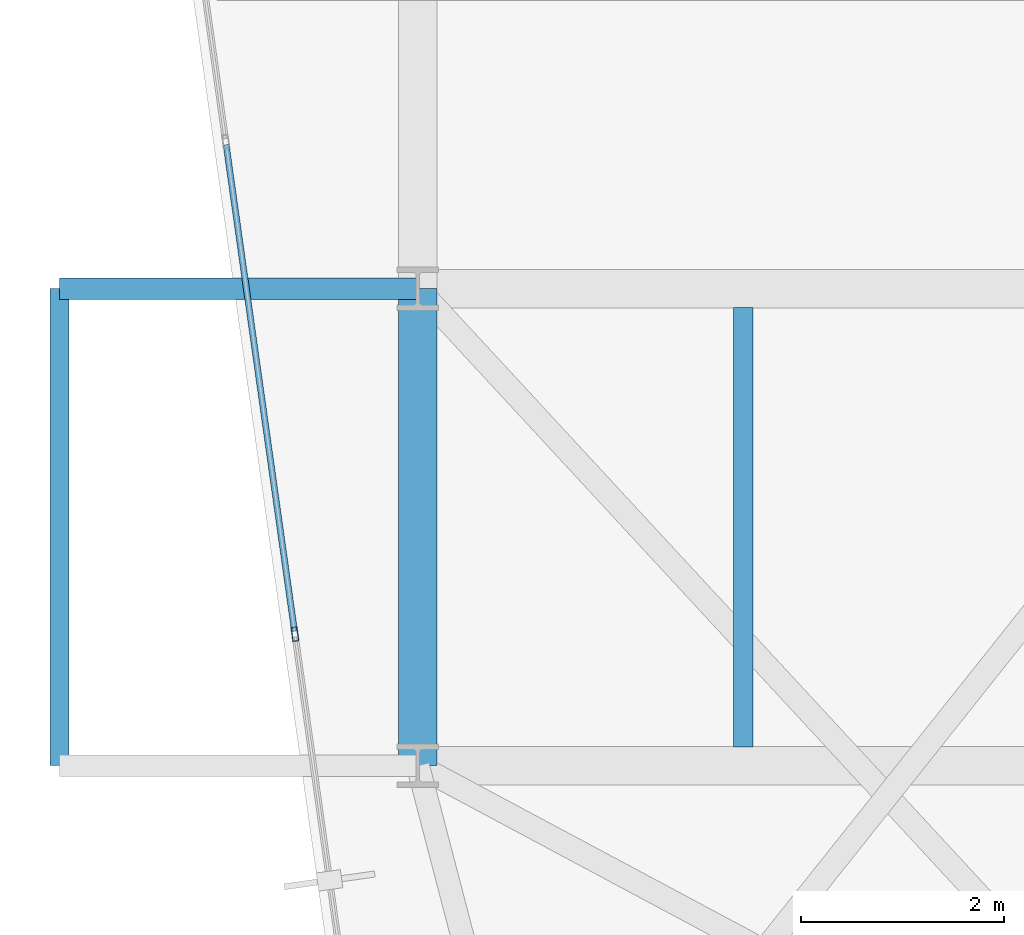
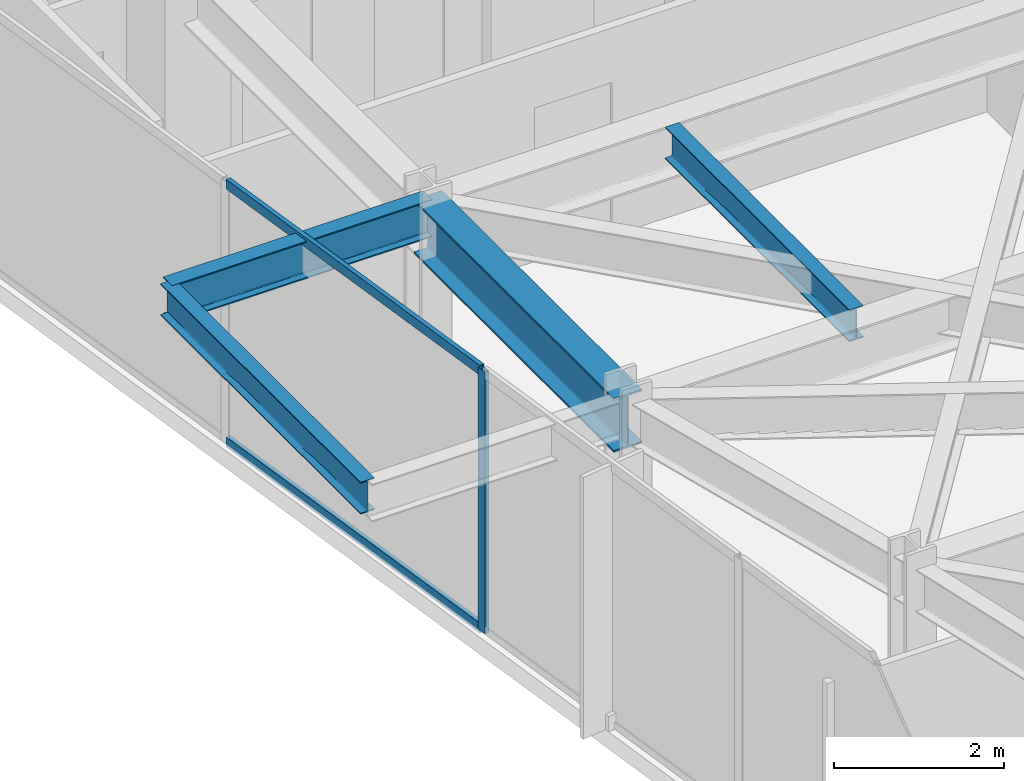
# One storey, part 9 of 26: 4 beams, 3 members, 1 element without a shape of its own.
"""IFC4 building model written with IfcOpenShell, lengths in metres."""

from ifc_helpers import new_model, si_unit, direction, frame, origin, origin_2d, place, context, subcontext, project, spatial, hollow_rectangle, i_section, extrude, material, layer, layer_set, material_profile, profile_set, type_object, element, aggregate, save


model = new_model("IFC4")

# Units and contexts
model_context = context("Model", 3, precision=1e-05, world=origin(), true_north=direction((0.0, 1.0)))
body_context = subcontext(model_context, "Body", "Model", "MODEL_VIEW")
ifc_project = project(units=[si_unit("LENGTHUNIT", "METRE"), si_unit("AREAUNIT", "SQUARE_METRE"), si_unit("VOLUMEUNIT", "CUBIC_METRE"), si_unit("PLANEANGLEUNIT", "RADIAN"), si_unit("MASSUNIT", "GRAM", prefix="KILO")], contexts=[model_context])

# Site, building, storey
site_placement = place(None, origin())
site = spatial("IfcSite", under=ifc_project, at=site_placement, CompositionType="ELEMENT")
building_placement = place(site_placement, origin())
building = spatial("IfcBuilding", under=site, at=building_placement, Name="Kravanh Interchange Tower", CompositionType="ELEMENT")
storey_placement = place(building_placement, frame((0.0, 0.0, 172.5)))
storey = spatial("IfcBuildingStorey", under=building, at=storey_placement, Name="L41", CompositionType="ELEMENT", Elevation=172.5)

# Curtain wall, members
ifc_material_1 = material(Name="Anodised Bronze Aluminium", Category="aluminium")
ifc_layer = layer(ifc_material_1, 0.179931640625)
ifc_layer_set = layer_set([ifc_layer], Name="Unitised Curtain Wall System CW-Z3 Upper Office")
curtain_wall_type = type_object("IfcCurtainWallType", Name="Unitised Curtain Wall System CW-Z3 Upper Office", PredefinedType="NOTDEFINED", material=ifc_layer_set)
curtain_wall_placement = place(storey_placement, origin())
curtain_wall = element("IfcCurtainWall", 1, at=curtain_wall_placement, inside=storey, type_object=curtain_wall_type, Name="L41 Unitised Curtain Wall CW-L41-01", PredefinedType="NOTDEFINED")
ifc_material_2 = material(Name="Anodised Bronze Aluminium", Category="aluminium")
ifc_material_profile_1 = material_profile(ifc_material_2, hollow_rectangle(XDim=0.06005859375, YDim=0.139892578125, WallThickness=0.00390625, at=origin_2d()), Name="ALU60X140X4")
ifc_profile_set_1 = profile_set([ifc_material_profile_1], Name="Anodised Bronze Aluminium")
member_type_1 = type_object("IfcMemberType", Name="Curtain Wall Mullion ALU60X140X4 Bronze", PredefinedType="MULLION", material=ifc_profile_set_1)
member_1_placement = place(storey_placement, frame((17.388671875, 28.09619140625, 0.0), z_axis=(0.0, 0.0, 1.0), x_axis=(-0.990268194035, -0.139172209446, 0.0)))
member_1 = element("IfcMember", 2, at=member_1_placement, type_object=member_type_1, Name="CW-Z3 mullion 4", PredefinedType="MULLION", context=body_context, shape_type="SweptSolid", body=[
    extrude(hollow_rectangle(XDim=0.06005859375, YDim=0.139892578125, WallThickness=0.00390625, at=origin_2d()), origin(), (0.0, 0.0, 1.0), 3.7548828125),
])
ifc_material_3 = material(Name="Anodised Bronze Aluminium", Category="aluminium")
ifc_material_profile_2 = material_profile(ifc_material_3, hollow_rectangle(XDim=0.06005859375, YDim=0.139892578125, WallThickness=0.00390625, at=origin_2d()), Name="ALU60X140X4")
ifc_profile_set_2 = profile_set([ifc_material_profile_2], Name="Anodised Bronze Aluminium")
member_type_2 = type_object("IfcMemberType", Name="Curtain Wall Transom ALU60X140X4 Bronze", PredefinedType="USERDEFINED", material=ifc_profile_set_2)
member_2_placement = place(storey_placement, frame((17.384521484375, 28.1259765625, 0.030029296875), z_axis=(-0.139182174391, 0.990266793512, 0.0), x_axis=(-0.990266793512, -0.139182174391, 0.0)))
member_2 = element("IfcMember", 3, at=member_2_placement, type_object=member_type_2, Name="CW-Z3 transom 4.1", ObjectType="TRANSOM", PredefinedType="USERDEFINED", context=body_context, shape_type="SweptSolid", body=[
    extrude(hollow_rectangle(XDim=0.06005859375, YDim=0.139892578125, WallThickness=0.00390625, at=origin_2d()), origin(), (0.0, 0.0, 1.0), 4.839599609375),
])
member_3_placement = place(storey_placement, frame((17.384521484375, 28.1259765625, 3.72509765625), z_axis=(-0.139182174391, 0.990266793512, 0.0), x_axis=(-0.990266793512, -0.139182174391, 0.0)))
member_3 = element("IfcMember", 4, at=member_3_placement, type_object=member_type_2, Name="CW-Z3 transom 4.2", ObjectType="TRANSOM", PredefinedType="USERDEFINED", context=body_context, shape_type="SweptSolid", body=[
    extrude(hollow_rectangle(XDim=0.06005859375, YDim=0.139892578125, WallThickness=0.00390625, at=origin_2d()), origin(), (0.0, 0.0, 1.0), 4.839599609375),
])
aggregate(curtain_wall, [member_1, member_2, member_3])

# Beams
ifc_material_4 = material(Name="Structural Steel S355", Category="steel")
ifc_material_profile_3 = material_profile(ifc_material_4, i_section(OverallWidth=0.381103515625, OverallDepth=0.77294921875, WebThickness=0.0166015625, FlangeThickness=0.027099609375, FilletRadius=0.02490234375, at=origin_2d()), Name="W30X173")
ifc_profile_set_3 = profile_set([ifc_material_profile_3], Name="Structural Steel S355")
beam_type_1 = type_object("IfcBeamType", Name="Floor Beam W30X173 Structural Steel S355", PredefinedType="BEAM", material=ifc_profile_set_3)
beam_1_placement = place(storey_placement, frame((18.60009765625, 26.800048828125, 3.368408203125), z_axis=(0.0, 1.0, 0.0), x_axis=(-1.0, 0.0, 0.0)))
element("IfcBeam", 5, at=beam_1_placement, inside=storey, type_object=beam_type_1, Name="L41 Primary Floor Girder 33", PredefinedType="BEAM", context=body_context, shape_type="SweptSolid", body=[
    extrude(i_section(OverallWidth=0.381103515625, OverallDepth=0.77294921875, WebThickness=0.0166015625, FlangeThickness=0.027099609375, FilletRadius=0.02490234375, at=origin_2d()), origin(), (0.0, 0.0, 1.0), 4.699951171875),
])
ifc_material_5 = material(Name="Structural Steel S355", Category="steel")
ifc_material_profile_4 = material_profile(ifc_material_5, i_section(OverallWidth=0.18994140625, OverallDepth=0.45703125, WebThickness=0.009033203125, FlangeThickness=0.014404296875, FilletRadius=0.01806640625, at=origin_2d()), Name="W18X50")
ifc_profile_set_4 = profile_set([ifc_material_profile_4], Name="Structural Steel S355")
beam_type_2 = type_object("IfcBeamType", Name="Floor Joist W18X50 Structural Steel S355", PredefinedType="JOIST", material=ifc_profile_set_4)
beam_2_placement = place(storey_placement, frame((21.804931640625, 26.985595703125, 3.526611328125), z_axis=(0.0, 1.0, 0.0), x_axis=(-1.0, 0.0, 0.0)))
element("IfcBeam", 6, at=beam_2_placement, inside=storey, type_object=beam_type_2, Name="L41 Secondary Floor Joist 9", PredefinedType="JOIST", context=body_context, shape_type="SweptSolid", body=[
    extrude(i_section(OverallWidth=0.18994140625, OverallDepth=0.45703125, WebThickness=0.009033203125, FlangeThickness=0.014404296875, FilletRadius=0.01806640625, at=origin_2d()), origin(), (0.0, 0.0, 1.0), 4.328857421875),
])
beam_3_placement = place(storey_placement, frame((15.070068359375, 26.800048828125, 3.526611328125), z_axis=(0.0, 1.0, 0.0), x_axis=(-1.0, 0.0, 0.0)))
element("IfcBeam", 7, at=beam_3_placement, inside=storey, type_object=beam_type_2, Name="L41 Balcony Edge Tie Beam W", PredefinedType="JOIST", context=body_context, shape_type="SweptSolid", body=[
    extrude(i_section(OverallWidth=0.18994140625, OverallDepth=0.45703125, WebThickness=0.009033203125, FlangeThickness=0.014404296875, FilletRadius=0.01806640625, at=origin_2d()), origin(), (0.0, 0.0, 1.0), 4.699951171875),
])
ifc_material_6 = material(Name="Structural Steel S355", Category="steel")
ifc_material_profile_5 = material_profile(ifc_material_6, i_section(OverallWidth=0.2099609375, OverallDepth=0.537109375, WebThickness=0.010986328125, FlangeThickness=0.017333984375, FilletRadius=0.02001953125, at=origin_2d()), Name="W21X68")
ifc_profile_set_5 = profile_set([ifc_material_profile_5], Name="Structural Steel S355")
beam_type_3 = type_object("IfcBeamType", Name="Floor Spandrel W21X68 Structural Steel S355", PredefinedType="SPANDREL", material=ifc_profile_set_5)
beam_4_placement = place(storey_placement, frame((18.60009765625, 31.5, 3.486572265625), z_axis=(-1.0, 0.0, 0.0), x_axis=(0.0, -1.0, 0.0)))
element("IfcBeam", 8, at=beam_4_placement, inside=storey, type_object=beam_type_3, Name="L41 Balcony Cantilever Outrigger W2", PredefinedType="SPANDREL", context=body_context, shape_type="SweptSolid", body=[
    extrude(i_section(OverallWidth=0.2099609375, OverallDepth=0.537109375, WebThickness=0.010986328125, FlangeThickness=0.017333984375, FilletRadius=0.02001953125, at=origin_2d()), origin(), (0.0, 0.0, 1.0), 3.530029296875),
])

save(model, "model.ifc")
